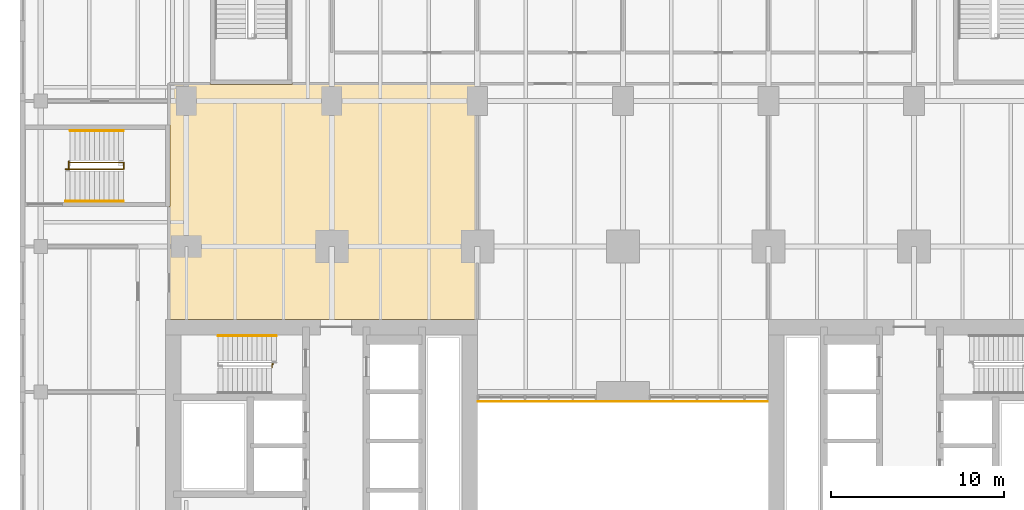
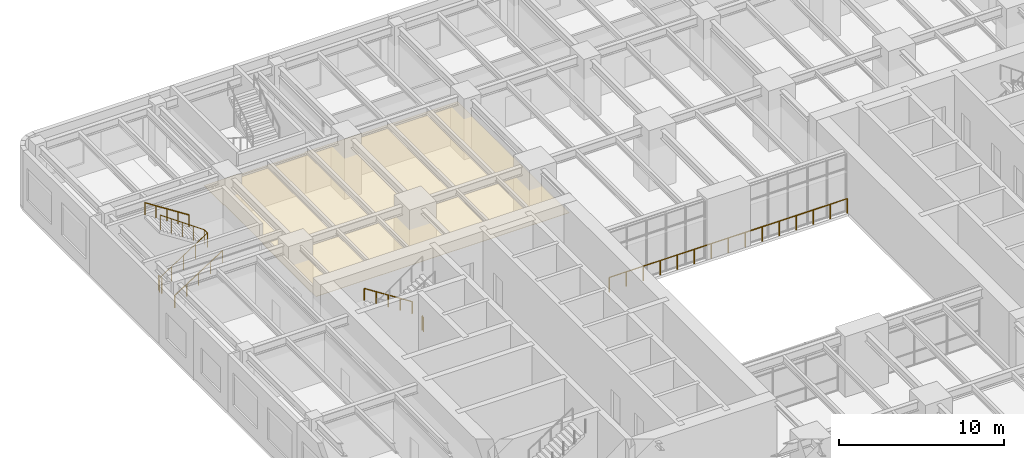
# One storey, part 21 of 26: 7 railings, 1 covering.
"""IFC4 building model written with IfcOpenShell, lengths in metres."""

import ifcopenshell
import ifcopenshell.guid

model = None  # the IFC model being written
_history = None  # IfcOwnerHistory: only IFC2X3 demands one
_inside = {}  # id of a spatial element -> (the spatial element, [elements in it])
_under = {}  # id of a project, library or spatial element -> (it, [spatial elements below it])
_declared = {}  # id of a project -> (the project, [libraries it declares])
_typed = {}  # id of a type object -> (the type object, [elements of that type])
_made_of = {}  # id of a material, layer set ... -> (it, [elements and type objects made of it])


def new_model(schema):
    """Start an empty IFC model of exactly this schema.

    Asked for "IFC4X3", IfcOpenShell would pick the latest addendum, in which some entities
    have other attributes; the version numbers below select the first issue.
    IFC2X3 requires an IfcOwnerHistory on every rooted entity: one is made here for all.
    """
    global model, _history
    if schema == "IFC4X3":
        model = ifcopenshell.file(schema_version=(4, 3, 0, 0))
    else:
        model = ifcopenshell.file(schema=schema)
    _inside.clear()
    _under.clear()
    _declared.clear()
    _typed.clear()
    _made_of.clear()
    _history = None
    if model.schema == "IFC2X3":
        org = make("IfcOrganization", Name="unknown")
        user = make(
            "IfcPersonAndOrganization",
            ThePerson=make("IfcPerson", FamilyName="unknown"),
            TheOrganization=org,
        )
        app = make(
            "IfcApplication",
            ApplicationDeveloper=org,
            Version="unknown",
            ApplicationFullName="unknown",
            ApplicationIdentifier="unknown",
        )
        _history = make(
            "IfcOwnerHistory",
            OwningUser=user,
            OwningApplication=app,
            ChangeAction="ADDED",
            CreationDate=0,
        )
    return model


def make(cls, **values):
    """One entity of the class cls with the attributes given. An attribute that is None is left unset."""
    return model.create_entity(
        cls, **{name: value for name, value in values.items() if value is not None}
    )


def rooted(cls, **values):
    """An entity with a GlobalId (a new one), such as an element, a storey or a relation."""
    return make(cls, GlobalId=ifcopenshell.guid.new(), OwnerHistory=_history, **values)


def si_unit(unit_type, name, prefix=None):
    """IfcSIUnit, for example si_unit("LENGTHUNIT", "METRE", prefix="MILLI")."""
    return make("IfcSIUnit", UnitType=unit_type, Prefix=prefix, Name=name)


def assignment(units):
    """IfcUnitAssignment: the units of a project."""
    return None if units is None else make("IfcUnitAssignment", Units=units)


def point(xyz):
    """IfcCartesianPoint."""
    return None if xyz is None else make("IfcCartesianPoint", Coordinates=xyz)


def direction(xyz):
    """IfcDirection."""
    return None if xyz is None else make("IfcDirection", DirectionRatios=xyz)


def frame(location, z_axis=None, x_axis=None):
    """IfcAxis2Placement3D, a coordinate frame: its origin and axes. An axis left out is left unset."""
    return make(
        "IfcAxis2Placement3D",
        Location=point(location),
        Axis=direction(z_axis),
        RefDirection=direction(x_axis),
    )


def frame_2d(location, x_axis=None):
    """IfcAxis2Placement2D, a coordinate frame in the plane: its origin and x axis."""
    return make(
        "IfcAxis2Placement2D", Location=point(location), RefDirection=direction(x_axis)
    )


def origin():
    """The frame at (0, 0, 0) with its axes left unset."""
    return frame((0.0, 0.0, 0.0))


def origin_2d():
    """The frame at (0, 0) in the plane with its x axis left unset."""
    return frame_2d((0.0, 0.0))


def place(relative_to, where):
    """IfcLocalPlacement: puts the frame where relative to a parent placement (None: the world)."""
    return make(
        "IfcLocalPlacement", PlacementRelTo=relative_to, RelativePlacement=where
    )


def context(
    kind, dimensions, precision=None, world=None, true_north=None, identifier=None
):
    """IfcGeometricRepresentationContext, for example the 3D "Model" context."""
    return make(
        "IfcGeometricRepresentationContext",
        ContextIdentifier=identifier,
        ContextType=kind,
        CoordinateSpaceDimension=dimensions,
        Precision=precision,
        WorldCoordinateSystem=world,
        TrueNorth=true_north,
    )


def subcontext(parent, identifier, kind, view, scale=None):
    """IfcGeometricRepresentationSubContext, for example "Body" below "Model"."""
    return make(
        "IfcGeometricRepresentationSubContext",
        ContextIdentifier=identifier,
        ContextType=kind,
        ParentContext=parent,
        TargetScale=scale,
        TargetView=view,
    )


def project(units=None, contexts=None):
    """IfcProject with its units and contexts."""
    return rooted(
        "IfcProject",
        Name="project",
        RepresentationContexts=contexts,
        UnitsInContext=assignment(units),
    )


def spatial(cls, under=None, at=None, **own):
    """A site, building, storey or space (cls), placed at a placement, below another one or the project."""
    s = rooted(cls, ObjectPlacement=at, **own)
    if under is not None:
        _under.setdefault(under.id(), (under, []))[1].append(s)
    return s


def polyline(points):
    """IfcPolyline through the points."""
    return make("IfcPolyline", Points=[point(p) for p in points])


def profile(cls, at=None, kind="AREA", **sizes):
    """A parametric profile (cls). Its sizes go by their IFC names, for example OverallWidth=200.0."""
    return make(cls, ProfileType=kind, Position=at, **sizes)


def circle(**sizes):
    """IfcCircleProfileDef."""
    return profile("IfcCircleProfileDef", **sizes)


def outline(outer, holes=None, kind="AREA"):
    """IfcArbitraryClosedProfileDef: a profile drawn as a closed curve; with holes, ...WithVoids."""
    if holes is None:
        return make("IfcArbitraryClosedProfileDef", ProfileType=kind, OuterCurve=outer)
    return make(
        "IfcArbitraryProfileDefWithVoids",
        ProfileType=kind,
        OuterCurve=outer,
        InnerCurves=holes,
    )


def extrude(swept, where, along, depth):
    """IfcExtrudedAreaSolid: the profile swept, set in the frame where, extruded along a direction by depth."""
    return make(
        "IfcExtrudedAreaSolid",
        SweptArea=swept,
        Position=where,
        ExtrudedDirection=direction(along),
        Depth=depth,
    )


def shape(context_of_items, identifier, shape_type, items):
    """IfcShapeRepresentation: the items that make up one representation, for example the "Body"."""
    return make(
        "IfcShapeRepresentation",
        ContextOfItems=context_of_items,
        RepresentationIdentifier=identifier,
        RepresentationType=shape_type,
        Items=items,
    )


def material(Name=None, Category=None):
    """IfcMaterial."""
    return make("IfcMaterial", Name=Name, Category=Category)


def layer(
    of_material, thickness, ventilated=None, Name=None, Category=None, Priority=None
):
    """IfcMaterialLayer: one layer of a wall or slab, of a material (None: an air gap)."""
    return make(
        "IfcMaterialLayer",
        Material=of_material,
        LayerThickness=thickness,
        IsVentilated=ventilated,
        Name=Name,
        Category=Category,
        Priority=Priority,
    )


def layer_set(layers, Name=None):
    """IfcMaterialLayerSet."""
    return make("IfcMaterialLayerSet", MaterialLayers=layers, LayerSetName=Name)


def made_of(thing, what):
    """Note that an element or type object is made of a material, layer set ...; save() writes the relation."""
    if what is not None:
        _made_of.setdefault(what.id(), (what, []))[1].append(thing)
    return thing


def type_object(cls, material=None, **own):
    """A type object (cls), such as IfcWallType, which elements share."""
    return made_of(rooted(cls, **own), material)


def element(
    cls,
    number,
    at=None,
    inside=None,
    cuts=None,
    type_object=None,
    material=None,
    context=None,
    identifier="Body",
    shape_type=None,
    held_by="IfcProductDefinitionShape",
    body=None,
    shapes=None,
    **own,
):
    """One element of the class cls, such as IfcWall. Its Tag is "e" and its number.

    at: its placement. inside: the storey or other place that contains it. cuts: it is an
    opening in that element (IfcRelVoidsElement). A single representation is given by context,
    identifier, shape_type and body (its items); several are given by shapes. held_by: the class
    of the entity that holds the representations. save() writes the other relations.
    """
    e = rooted(cls, Tag="e%d" % number, ObjectPlacement=at, **own)
    if body is not None:
        shapes = [shape(context, identifier, shape_type, body)]
    if shapes is not None:
        e.Representation = make(held_by, Representations=shapes)
    if inside is not None:
        _inside.setdefault(inside.id(), (inside, []))[1].append(e)
    if cuts is not None:
        rooted(
            "IfcRelVoidsElement", RelatingBuildingElement=cuts, RelatedOpeningElement=e
        )
    if type_object is not None:
        _typed.setdefault(type_object.id(), (type_object, []))[1].append(e)
    return made_of(e, material)


def aggregate(whole, parts):
    """IfcRelAggregates: a whole, such as a stair, and the parts it consists of."""
    return rooted("IfcRelAggregates", RelatingObject=whole, RelatedObjects=parts)


def save(model, path):
    """Write the relations noted so far, then the file.

    IfcRelAggregates (storeys below a building ...), IfcRelContainedInSpatialStructure (elements
    in a storey), IfcRelDefinesByType, IfcRelAssociatesMaterial and IfcRelDeclares: one each for
    every whole, place, type object, material and project.
    """
    for whole, parts in _under.values():
        aggregate(whole, parts)
    for where, things in _inside.values():
        rooted(
            "IfcRelContainedInSpatialStructure",
            RelatedElements=things,
            RelatingStructure=where,
        )
    for kind, things in _typed.values():
        rooted("IfcRelDefinesByType", RelatedObjects=things, RelatingType=kind)
    for what, things in _made_of.values():
        rooted("IfcRelAssociatesMaterial", RelatedObjects=things, RelatingMaterial=what)
    for by, libraries in _declared.values():
        rooted("IfcRelDeclares", RelatingContext=by, RelatedDefinitions=libraries)
    model.write(path)


model = new_model("IFC4")

# Units and contexts
model_context = context("Model", 3, precision=1e-05, world=origin(), true_north=direction((0.0, 1.0)))
body_context = subcontext(model_context, "Body", "Model", "MODEL_VIEW")
ifc_project = project(units=[si_unit("LENGTHUNIT", "METRE"), si_unit("AREAUNIT", "SQUARE_METRE"), si_unit("VOLUMEUNIT", "CUBIC_METRE"), si_unit("PLANEANGLEUNIT", "RADIAN"), si_unit("MASSUNIT", "GRAM", prefix="KILO")], contexts=[model_context])

# Site, building, storey
site_placement = place(None, origin())
site = spatial("IfcSite", under=ifc_project, at=site_placement, CompositionType="ELEMENT")
building_placement = place(site_placement, origin())
building = spatial("IfcBuilding", under=site, at=building_placement, Name="Claustro Exchange Tower", CompositionType="ELEMENT")
storey_placement = place(building_placement, frame((0.0, 0.0, 9.89990234375)))
storey = spatial("IfcBuildingStorey", under=building, at=storey_placement, Name="L02", CompositionType="ELEMENT", Elevation=9.89990234375)

# Covering
ifc_material_1 = material(Name="Gypsum board ceiling", Category="gypsum board")
ifc_layer = layer(ifc_material_1, 0.02490234375)
ifc_layer_set = layer_set([ifc_layer], Name="Gypsum board ceiling")
covering_type = type_object("IfcCoveringType", Name="CL2 plasterboard ceiling", PredefinedType="CEILING", material=ifc_layer_set)
covering_placement = place(storey_placement, frame((0.0, 0.0, 3.0)))
element("IfcCovering", 1, at=covering_placement, inside=storey, type_object=covering_type, Name="Ceiling CL2 L02-19", PredefinedType="CEILING", context=body_context, shape_type="SweptSolid", body=[
    extrude(outline(polyline([(-1.0, 37.800048828125), (16.800048828125, 37.800048828125), (16.800048828125, 51.39990234375), (6.10009765625, 51.39990234375), (6.10009765625, 51.35009765625), (1.39990234375, 51.35009765625), (1.39990234375, 51.39990234375), (-1.0, 51.39990234375), (-1.0, 49.0), (-0.949951171875, 49.0), (-0.949951171875, 44.300048828125), (-1.0, 44.300048828125), (-1.0, 37.800048828125)])), origin(), (0.0, 0.0, 1.0), 0.025146484375),
])

# Railings
ifc_material_2 = material(Name="Laminated glass, stainless steel rail", Category="steel")
railing_type_1 = type_object("IfcRailingType", Name="GR1 1100 glass balustrade guard", PredefinedType="BALUSTRADE", material=ifc_material_2)
railing_1_placement = place(storey_placement, frame((16.85009765625, 33.050048828125, 0.0)))
element("IfcRailing", 2, at=railing_1_placement, inside=storey, type_object=railing_type_1, Name="Atrium guard GR1 L02", PredefinedType="BALUSTRADE", context=body_context, shape_type="SweptSolid", body=[
    extrude(circle(Radius=0.02392578125, at=origin_2d()), frame((0.0, 0.0, 1.076171875), z_axis=(1.0, 0.0, 0.0), x_axis=(0.0, 1.0, 0.0)), (0.0, 0.0, 1.0), 16.699951171875),
    extrude(circle(Radius=0.02099609375, at=origin_2d()), origin(), (0.0, 0.0, 1.0), 1.052001953125),
    extrude(circle(Radius=0.02099609375, at=origin_2d()), frame((1.19287109375, 0.0, 0.0)), (0.0, 0.0, 1.0), 1.052001953125),
    extrude(circle(Radius=0.02099609375, at=origin_2d()), frame((2.3857421875, 0.0, 0.0)), (0.0, 0.0, 1.0), 1.052001953125),
    extrude(circle(Radius=0.02099609375, at=origin_2d()), frame((3.57861328125, 0.0, 0.0)), (0.0, 0.0, 1.0), 1.052001953125),
    extrude(circle(Radius=0.02099609375, at=origin_2d()), frame((4.771484375, 0.0, 0.0)), (0.0, 0.0, 1.0), 1.052001953125),
    extrude(circle(Radius=0.02099609375, at=origin_2d()), frame((5.96435546875, 0.0, 0.0)), (0.0, 0.0, 1.0), 1.052001953125),
    extrude(circle(Radius=0.02099609375, at=origin_2d()), frame((7.1572265625, 0.0, 0.0)), (0.0, 0.0, 1.0), 1.052001953125),
    extrude(circle(Radius=0.02099609375, at=origin_2d()), frame((8.35009765625, 0.0, 0.0)), (0.0, 0.0, 1.0), 1.052001953125),
    extrude(circle(Radius=0.02099609375, at=origin_2d()), frame((9.542724609375, 0.0, 0.0)), (0.0, 0.0, 1.0), 1.052001953125),
    extrude(circle(Radius=0.02099609375, at=origin_2d()), frame((10.735595703125, 0.0, 0.0)), (0.0, 0.0, 1.0), 1.052001953125),
    extrude(circle(Radius=0.02099609375, at=origin_2d()), frame((11.928466796875, 0.0, 0.0)), (0.0, 0.0, 1.0), 1.052001953125),
    extrude(circle(Radius=0.02099609375, at=origin_2d()), frame((13.121337890625, 0.0, 0.0)), (0.0, 0.0, 1.0), 1.052001953125),
    extrude(circle(Radius=0.02099609375, at=origin_2d()), frame((14.314208984375, 0.0, 0.0)), (0.0, 0.0, 1.0), 1.052001953125),
    extrude(circle(Radius=0.02099609375, at=origin_2d()), frame((15.507080078125, 0.0, 0.0)), (0.0, 0.0, 1.0), 1.052001953125),
    extrude(circle(Radius=0.02099609375, at=origin_2d()), frame((16.699951171875, 0.0, 0.0)), (0.0, 0.0, 1.0), 1.052001953125),
])
ifc_material_3 = material(Name="Steel balustrade, painted", Category="steel")
railing_type_2 = type_object("IfcRailingType", Name="GR2 1100 steel stair guard", PredefinedType="GUARDRAIL", material=ifc_material_3)
railing_2_placement = place(storey_placement, frame((5.0, 35.22998046875, 0.0)))
element("IfcRailing", 3, at=railing_2_placement, inside=storey, type_object=railing_type_2, Name="Stair guard GR2 STWB L02", PredefinedType="GUARDRAIL", context=body_context, shape_type="SweptSolid", body=[
    extrude(circle(Radius=0.02392578125, at=origin_2d()), frame((0.0, 0.0, 1.076171875), z_axis=(0.0, -1.0, 0.0), x_axis=(1.0, 0.0, 0.0)), (0.0, 0.0, 1.0), 0.030029296875),
    extrude(circle(Radius=0.02392578125, at=origin_2d()), frame((0.0, -0.030029296875, 1.076171875), z_axis=(-1.0, 0.0, 0.0), x_axis=(0.0, -1.0, 0.0)), (0.0, 0.0, 1.0), 0.054931640625),
    extrude(circle(Radius=0.02392578125, at=origin_2d()), frame((-0.054931640625, -0.030029296875, 1.076171875), z_axis=(0.0, -1.0, 0.0), x_axis=(1.0, 0.0, 0.0)), (0.0, 0.0, 1.0), 0.179931640625),
    extrude(circle(Radius=0.02099609375, at=origin_2d()), origin(), (0.0, 0.0, 1.0), 1.052001953125),
    extrude(circle(Radius=0.02099609375, at=origin_2d()), frame((0.0, -0.030029296875, 0.0)), (0.0, 0.0, 1.0), 1.052001953125),
    extrude(circle(Radius=0.02099609375, at=origin_2d()), frame((-0.054931640625, -0.030029296875, 0.0)), (0.0, 0.0, 1.0), 1.052001953125),
    extrude(circle(Radius=0.02099609375, at=origin_2d()), frame((-0.054931640625, -0.2099609375, 0.0)), (0.0, 0.0, 1.0), 1.052001953125),
])
railing_3_placement = place(storey_placement, frame((-6.97998046875, 46.449951171875, 0.18017578125)))
element("IfcRailing", 4, at=railing_3_placement, inside=storey, type_object=railing_type_2, Name="Stair well guard GR2 stair STP5 L02", PredefinedType="GUARDRAIL", context=body_context, shape_type="SweptSolid", body=[
    extrude(circle(Radius=0.02392578125, at=origin_2d()), frame((0.0, 0.0, 1.076171875), z_axis=(0.841178475377, 0.0, 0.540757591313), x_axis=(0.0, 1.0, 0.0)), (0.0, 0.0, 1.0), 3.994140625),
    extrude(circle(Radius=0.02392578125, at=origin_2d()), frame((3.35986328125, 0.0, 3.23583984375), z_axis=(0.0, 1.0, 0.0), x_axis=(-1.0, 0.0, 0.0)), (0.0, 0.0, 1.0), 0.400146484375),
    extrude(circle(Radius=0.02392578125, at=origin_2d()), frame((3.35986328125, 0.400146484375, 3.23583984375), z_axis=(-0.818728512145, 0.0, 0.574180828137), x_axis=(0.0, -1.0, 0.0)), (0.0, 0.0, 1.0), 3.76171875),
    extrude(circle(Radius=0.02099609375, at=origin_2d()), origin(), (0.0, 0.0, 1.0), 1.052001953125),
    extrude(circle(Radius=0.02099609375, at=origin_2d()), frame((0.83984375, 0.0, 0.5400390625)), (0.0, 0.0, 1.0), 1.052001953125),
    extrude(circle(Radius=0.02099609375, at=origin_2d()), frame((1.679931640625, 0.0, 1.080078125)), (0.0, 0.0, 1.0), 1.052001953125),
    extrude(circle(Radius=0.02099609375, at=origin_2d()), frame((2.52001953125, 0.0, 1.619873046875)), (0.0, 0.0, 1.0), 1.052001953125),
    extrude(circle(Radius=0.02099609375, at=origin_2d()), frame((3.35986328125, 0.0, 2.159912109375)), (0.0, 0.0, 1.0), 1.052001953125),
    extrude(circle(Radius=0.02099609375, at=origin_2d()), frame((3.35986328125, 0.400146484375, 2.159912109375)), (0.0, 0.0, 1.0), 1.052001953125),
    extrude(circle(Radius=0.02099609375, at=origin_2d()), frame((2.58984375, 0.400146484375, 2.699951171875)), (0.0, 0.0, 1.0), 1.052001953125),
    extrude(circle(Radius=0.02099609375, at=origin_2d()), frame((1.81982421875, 0.400146484375, 3.23974609375)), (0.0, 0.0, 1.0), 1.052001953125),
    extrude(circle(Radius=0.02099609375, at=origin_2d()), frame((1.050048828125, 0.400146484375, 3.77978515625)), (0.0, 0.0, 1.0), 1.052001953125),
    extrude(circle(Radius=0.02099609375, at=origin_2d()), frame((0.280029296875, 0.400146484375, 4.31982421875)), (0.0, 0.0, 1.0), 1.052001953125),
])
railing_4_placement = place(storey_placement, frame((-6.780029296875, 46.52001953125, 0.0)))
element("IfcRailing", 5, at=railing_4_placement, inside=storey, type_object=railing_type_2, Name="Stair guard GR2 STP5 L02", PredefinedType="GUARDRAIL", context=body_context, shape_type="SweptSolid", body=[
    extrude(circle(Radius=0.02392578125, at=origin_2d()), frame((0.0, 0.0, 1.076171875), z_axis=(0.0, 1.0, 0.0), x_axis=(-1.0, 0.0, 0.0)), (0.0, 0.0, 1.0), 0.409912109375),
    extrude(circle(Radius=0.02099609375, at=origin_2d()), origin(), (0.0, 0.0, 1.0), 1.052001953125),
    extrude(circle(Radius=0.02099609375, at=origin_2d()), frame((0.0, 0.409912109375, 0.0)), (0.0, 0.0, 1.0), 1.052001953125),
])
ifc_material_4 = material(Name="Stainless steel tube", Category="steel")
railing_type_3 = type_object("IfcRailingType", Name="HR1 900 stair handrail", PredefinedType="HANDRAIL", material=ifc_material_4)
railing_5_placement = place(storey_placement, frame((5.199951171875, 36.840087890625, 0.18017578125)))
element("IfcRailing", 6, at=railing_5_placement, inside=storey, type_object=railing_type_3, Name="Handrail HR1 stair STWB L02", PredefinedType="HANDRAIL", context=body_context, shape_type="SweptSolid", body=[
    extrude(circle(Radius=0.02392578125, at=origin_2d()), frame((0.0, 0.0, 0.8759765625), z_axis=(-0.841178475377, 0.0, 0.540757591313), x_axis=(0.0, -1.0, 0.0)), (0.0, 0.0, 1.0), 3.994140625),
    extrude(circle(Radius=0.02099609375, at=origin_2d()), origin(), (0.0, 0.0, 1.0), 0.851806640625),
    extrude(circle(Radius=0.02099609375, at=origin_2d()), frame((-0.83984375, 0.0, 0.5400390625)), (0.0, 0.0, 1.0), 0.851806640625),
    extrude(circle(Radius=0.02099609375, at=origin_2d()), frame((-1.679931640625, 0.0, 1.080078125)), (0.0, 0.0, 1.0), 0.851806640625),
    extrude(circle(Radius=0.02099609375, at=origin_2d()), frame((-2.52001953125, 0.0, 1.619873046875)), (0.0, 0.0, 1.0), 0.851806640625),
    extrude(circle(Radius=0.02099609375, at=origin_2d()), frame((-3.35986328125, 0.0, 2.159912109375)), (0.0, 0.0, 1.0), 0.851806640625),
])
railing_6_placement = place(storey_placement, frame((-6.97998046875, 44.610107421875, 0.18017578125)))
element("IfcRailing", 7, at=railing_6_placement, inside=storey, type_object=railing_type_3, Name="Handrail HR1 stair STP5 L02", PredefinedType="HANDRAIL", context=body_context, shape_type="SweptSolid", body=[
    extrude(circle(Radius=0.02392578125, at=origin_2d()), frame((0.0, 0.0, 0.8759765625), z_axis=(0.841178475377, 0.0, 0.540757591313), x_axis=(0.0, 1.0, 0.0)), (0.0, 0.0, 1.0), 3.994140625),
    extrude(circle(Radius=0.02099609375, at=origin_2d()), origin(), (0.0, 0.0, 1.0), 0.851806640625),
    extrude(circle(Radius=0.02099609375, at=origin_2d()), frame((0.83984375, 0.0, 0.5400390625)), (0.0, 0.0, 1.0), 0.851806640625),
    extrude(circle(Radius=0.02099609375, at=origin_2d()), frame((1.679931640625, 0.0, 1.080078125)), (0.0, 0.0, 1.0), 0.851806640625),
    extrude(circle(Radius=0.02099609375, at=origin_2d()), frame((2.52001953125, 0.0, 1.619873046875)), (0.0, 0.0, 1.0), 0.851806640625),
    extrude(circle(Radius=0.02099609375, at=origin_2d()), frame((3.35986328125, 0.0, 2.159912109375)), (0.0, 0.0, 1.0), 0.851806640625),
])
railing_7_placement = place(storey_placement, frame((-3.6201171875, 48.68994140625, 2.52001953125)))
element("IfcRailing", 8, at=railing_7_placement, inside=storey, type_object=railing_type_3, Name="Handrail HR1 stair STP5 L02", PredefinedType="HANDRAIL", context=body_context, shape_type="SweptSolid", body=[
    extrude(circle(Radius=0.02392578125, at=origin_2d()), frame((0.0, 0.0, 0.8759765625), z_axis=(-0.841167642724, 0.0, 0.540774441735), x_axis=(0.0, -1.0, 0.0)), (0.0, 0.0, 1.0), 3.661376953125),
    extrude(circle(Radius=0.02099609375, at=origin_2d()), origin(), (0.0, 0.0, 1.0), 0.851806640625),
    extrude(circle(Radius=0.02099609375, at=origin_2d()), frame((-0.77001953125, 0.0, 0.4951171875)), (0.0, 0.0, 1.0), 0.851806640625),
    extrude(circle(Radius=0.02099609375, at=origin_2d()), frame((-1.5400390625, 0.0, 0.989990234375)), (0.0, 0.0, 1.0), 0.851806640625),
    extrude(circle(Radius=0.02099609375, at=origin_2d()), frame((-2.309814453125, 0.0, 1.48486328125)), (0.0, 0.0, 1.0), 0.851806640625),
    extrude(circle(Radius=0.02099609375, at=origin_2d()), frame((-3.079833984375, 0.0, 1.97998046875)), (0.0, 0.0, 1.0), 0.851806640625),
])

save(model, "model.ifc")
